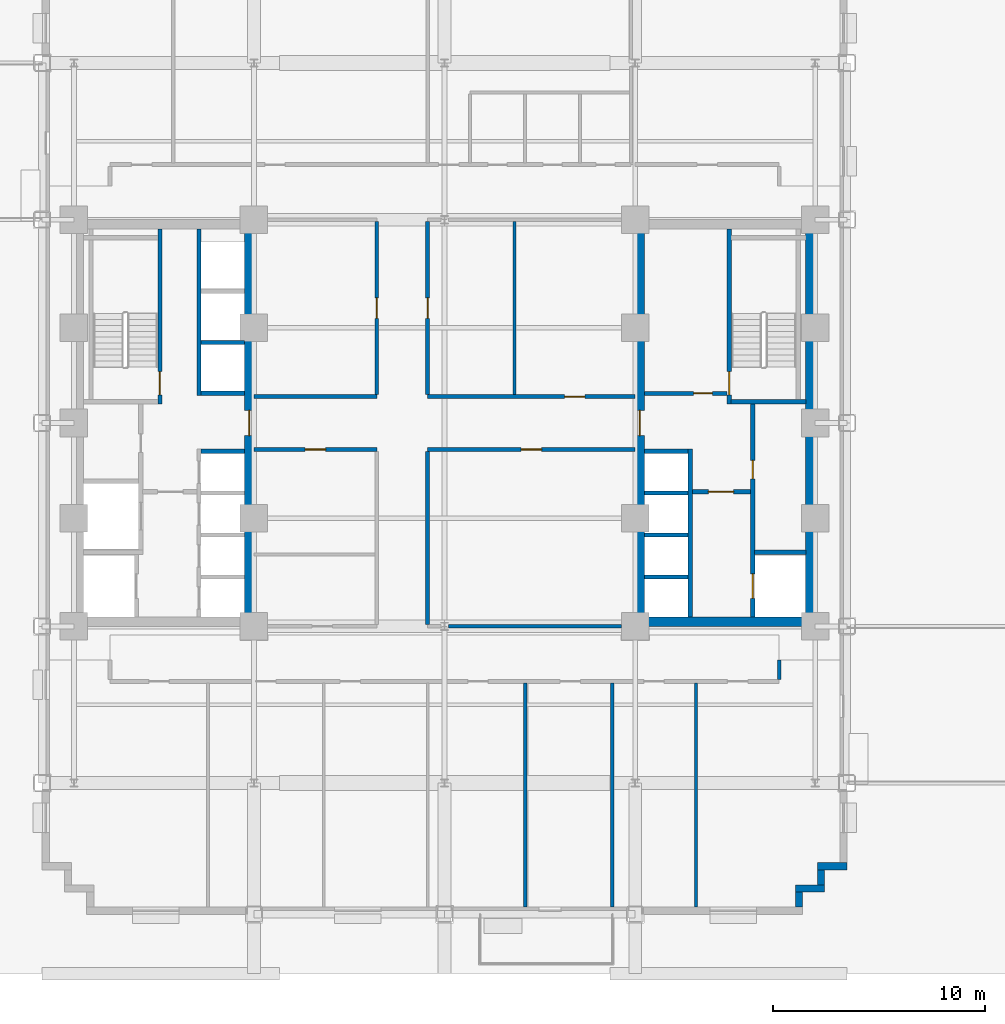
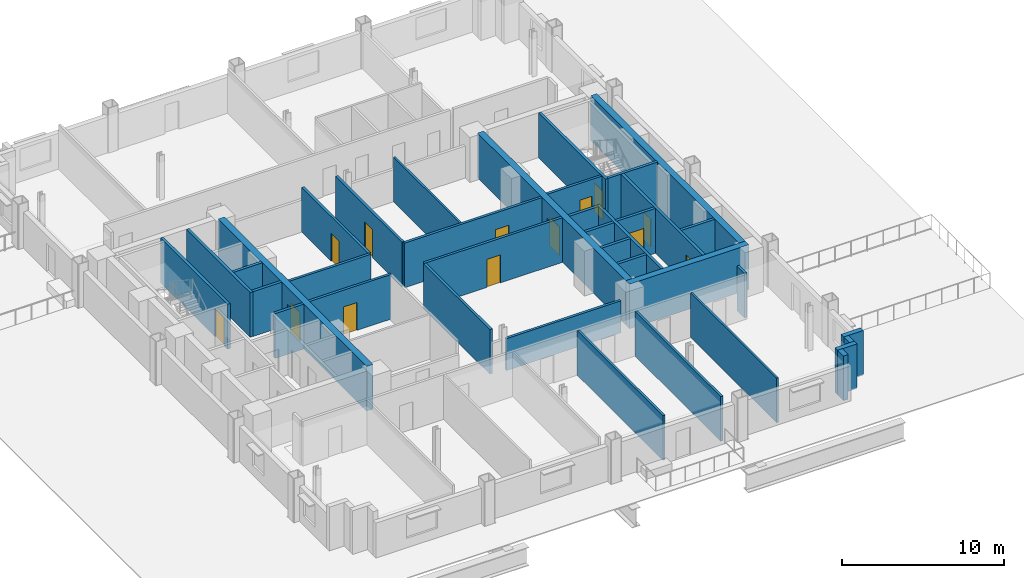
# One storey, part 6 of 13: 37 walls, 13 doors, 13 openings.
"""IFC4 building model written with IfcOpenShell, lengths in metres."""

import ifcopenshell
import ifcopenshell.guid

model = None  # the IFC model being written
_history = None  # IfcOwnerHistory: only IFC2X3 demands one
_inside = {}  # id of a spatial element -> (the spatial element, [elements in it])
_under = {}  # id of a project, library or spatial element -> (it, [spatial elements below it])
_declared = {}  # id of a project -> (the project, [libraries it declares])
_typed = {}  # id of a type object -> (the type object, [elements of that type])
_made_of = {}  # id of a material, layer set ... -> (it, [elements and type objects made of it])


def new_model(schema):
    """Start an empty IFC model of exactly this schema.

    Asked for "IFC4X3", IfcOpenShell would pick the latest addendum, in which some entities
    have other attributes; the version numbers below select the first issue.
    IFC2X3 requires an IfcOwnerHistory on every rooted entity: one is made here for all.
    """
    global model, _history
    if schema == "IFC4X3":
        model = ifcopenshell.file(schema_version=(4, 3, 0, 0))
    else:
        model = ifcopenshell.file(schema=schema)
    _inside.clear()
    _under.clear()
    _declared.clear()
    _typed.clear()
    _made_of.clear()
    _history = None
    if model.schema == "IFC2X3":
        org = make("IfcOrganization", Name="unknown")
        user = make(
            "IfcPersonAndOrganization",
            ThePerson=make("IfcPerson", FamilyName="unknown"),
            TheOrganization=org,
        )
        app = make(
            "IfcApplication",
            ApplicationDeveloper=org,
            Version="unknown",
            ApplicationFullName="unknown",
            ApplicationIdentifier="unknown",
        )
        _history = make(
            "IfcOwnerHistory",
            OwningUser=user,
            OwningApplication=app,
            ChangeAction="ADDED",
            CreationDate=0,
        )
    return model


def make(cls, **values):
    """One entity of the class cls with the attributes given. An attribute that is None is left unset."""
    return model.create_entity(
        cls, **{name: value for name, value in values.items() if value is not None}
    )


def rooted(cls, **values):
    """An entity with a GlobalId (a new one), such as an element, a storey or a relation."""
    return make(cls, GlobalId=ifcopenshell.guid.new(), OwnerHistory=_history, **values)


def si_unit(unit_type, name, prefix=None):
    """IfcSIUnit, for example si_unit("LENGTHUNIT", "METRE", prefix="MILLI")."""
    return make("IfcSIUnit", UnitType=unit_type, Prefix=prefix, Name=name)


def assignment(units):
    """IfcUnitAssignment: the units of a project."""
    return None if units is None else make("IfcUnitAssignment", Units=units)


def point(xyz):
    """IfcCartesianPoint."""
    return None if xyz is None else make("IfcCartesianPoint", Coordinates=xyz)


def direction(xyz):
    """IfcDirection."""
    return None if xyz is None else make("IfcDirection", DirectionRatios=xyz)


def frame(location, z_axis=None, x_axis=None):
    """IfcAxis2Placement3D, a coordinate frame: its origin and axes. An axis left out is left unset."""
    return make(
        "IfcAxis2Placement3D",
        Location=point(location),
        Axis=direction(z_axis),
        RefDirection=direction(x_axis),
    )


def frame_2d(location, x_axis=None):
    """IfcAxis2Placement2D, a coordinate frame in the plane: its origin and x axis."""
    return make(
        "IfcAxis2Placement2D", Location=point(location), RefDirection=direction(x_axis)
    )


def origin():
    """The frame at (0, 0, 0) with its axes left unset."""
    return frame((0.0, 0.0, 0.0))


def place(relative_to, where):
    """IfcLocalPlacement: puts the frame where relative to a parent placement (None: the world)."""
    return make(
        "IfcLocalPlacement", PlacementRelTo=relative_to, RelativePlacement=where
    )


def context(
    kind, dimensions, precision=None, world=None, true_north=None, identifier=None
):
    """IfcGeometricRepresentationContext, for example the 3D "Model" context."""
    return make(
        "IfcGeometricRepresentationContext",
        ContextIdentifier=identifier,
        ContextType=kind,
        CoordinateSpaceDimension=dimensions,
        Precision=precision,
        WorldCoordinateSystem=world,
        TrueNorth=true_north,
    )


def subcontext(parent, identifier, kind, view, scale=None):
    """IfcGeometricRepresentationSubContext, for example "Body" below "Model"."""
    return make(
        "IfcGeometricRepresentationSubContext",
        ContextIdentifier=identifier,
        ContextType=kind,
        ParentContext=parent,
        TargetScale=scale,
        TargetView=view,
    )


def project(units=None, contexts=None):
    """IfcProject with its units and contexts."""
    return rooted(
        "IfcProject",
        Name="project",
        RepresentationContexts=contexts,
        UnitsInContext=assignment(units),
    )


def spatial(cls, under=None, at=None, **own):
    """A site, building, storey or space (cls), placed at a placement, below another one or the project."""
    s = rooted(cls, ObjectPlacement=at, **own)
    if under is not None:
        _under.setdefault(under.id(), (under, []))[1].append(s)
    return s


def profile(cls, at=None, kind="AREA", **sizes):
    """A parametric profile (cls). Its sizes go by their IFC names, for example OverallWidth=200.0."""
    return make(cls, ProfileType=kind, Position=at, **sizes)


def rectangle(**sizes):
    """IfcRectangleProfileDef."""
    return profile("IfcRectangleProfileDef", **sizes)


def extrude(swept, where, along, depth):
    """IfcExtrudedAreaSolid: the profile swept, set in the frame where, extruded along a direction by depth."""
    return make(
        "IfcExtrudedAreaSolid",
        SweptArea=swept,
        Position=where,
        ExtrudedDirection=direction(along),
        Depth=depth,
    )


def shape(context_of_items, identifier, shape_type, items):
    """IfcShapeRepresentation: the items that make up one representation, for example the "Body"."""
    return make(
        "IfcShapeRepresentation",
        ContextOfItems=context_of_items,
        RepresentationIdentifier=identifier,
        RepresentationType=shape_type,
        Items=items,
    )


def source(mapping_origin, context_of_items, identifier, shape_type, items):
    """IfcRepresentationMap: a shape defined once, which mapped items show again and again."""
    return make(
        "IfcRepresentationMap",
        MappingOrigin=mapping_origin,
        MappedRepresentation=shape(context_of_items, identifier, shape_type, items),
    )


def transform(
    local_origin,
    x_axis=None,
    y_axis=None,
    z_axis=None,
    scale=None,
    scale2=None,
    scale3=None,
    uniform=True,
):
    """IfcCartesianTransformationOperator3D, or its non-uniform kind. x_axis, y_axis, z_axis: its Axis1, 2, 3."""
    if uniform:
        return make(
            "IfcCartesianTransformationOperator3D",
            Axis1=direction(x_axis),
            Axis2=direction(y_axis),
            LocalOrigin=point(local_origin),
            Scale=scale,
            Axis3=direction(z_axis),
        )
    return make(
        "IfcCartesianTransformationOperator3DnonUniform",
        Axis1=direction(x_axis),
        Axis2=direction(y_axis),
        LocalOrigin=point(local_origin),
        Scale=scale,
        Axis3=direction(z_axis),
        Scale2=scale2,
        Scale3=scale3,
    )


def mapped(mapping_source, mapping_target):
    """IfcMappedItem: shows the shape of a source again, moved by a transform."""
    return make(
        "IfcMappedItem", MappingSource=mapping_source, MappingTarget=mapping_target
    )


def material(Name=None, Category=None):
    """IfcMaterial."""
    return make("IfcMaterial", Name=Name, Category=Category)


def layer(
    of_material, thickness, ventilated=None, Name=None, Category=None, Priority=None
):
    """IfcMaterialLayer: one layer of a wall or slab, of a material (None: an air gap)."""
    return make(
        "IfcMaterialLayer",
        Material=of_material,
        LayerThickness=thickness,
        IsVentilated=ventilated,
        Name=Name,
        Category=Category,
        Priority=Priority,
    )


def layer_set(layers, Name=None):
    """IfcMaterialLayerSet."""
    return make("IfcMaterialLayerSet", MaterialLayers=layers, LayerSetName=Name)


def made_of(thing, what):
    """Note that an element or type object is made of a material, layer set ...; save() writes the relation."""
    if what is not None:
        _made_of.setdefault(what.id(), (what, []))[1].append(thing)
    return thing


def type_object(cls, material=None, **own):
    """A type object (cls), such as IfcWallType, which elements share."""
    return made_of(rooted(cls, **own), material)


def type_shapes(of_type, sources):
    """Give a type object the sources (RepresentationMaps) that its elements show as mapped items."""
    of_type.RepresentationMaps = sources


def element(
    cls,
    number,
    at=None,
    inside=None,
    cuts=None,
    type_object=None,
    material=None,
    context=None,
    identifier="Body",
    shape_type=None,
    held_by="IfcProductDefinitionShape",
    body=None,
    shapes=None,
    **own,
):
    """One element of the class cls, such as IfcWall. Its Tag is "e" and its number.

    at: its placement. inside: the storey or other place that contains it. cuts: it is an
    opening in that element (IfcRelVoidsElement). A single representation is given by context,
    identifier, shape_type and body (its items); several are given by shapes. held_by: the class
    of the entity that holds the representations. save() writes the other relations.
    """
    e = rooted(cls, Tag="e%d" % number, ObjectPlacement=at, **own)
    if body is not None:
        shapes = [shape(context, identifier, shape_type, body)]
    if shapes is not None:
        e.Representation = make(held_by, Representations=shapes)
    if inside is not None:
        _inside.setdefault(inside.id(), (inside, []))[1].append(e)
    if cuts is not None:
        rooted(
            "IfcRelVoidsElement", RelatingBuildingElement=cuts, RelatedOpeningElement=e
        )
    if type_object is not None:
        _typed.setdefault(type_object.id(), (type_object, []))[1].append(e)
    return made_of(e, material)


def fill(opening, filler):
    """IfcRelFillsElement: the door or window that sits in an opening."""
    return rooted(
        "IfcRelFillsElement",
        RelatingOpeningElement=opening,
        RelatedBuildingElement=filler,
    )


def aggregate(whole, parts):
    """IfcRelAggregates: a whole, such as a stair, and the parts it consists of."""
    return rooted("IfcRelAggregates", RelatingObject=whole, RelatedObjects=parts)


def save(model, path):
    """Write the relations noted so far, then the file.

    IfcRelAggregates (storeys below a building ...), IfcRelContainedInSpatialStructure (elements
    in a storey), IfcRelDefinesByType, IfcRelAssociatesMaterial and IfcRelDeclares: one each for
    every whole, place, type object, material and project.
    """
    for whole, parts in _under.values():
        aggregate(whole, parts)
    for where, things in _inside.values():
        rooted(
            "IfcRelContainedInSpatialStructure",
            RelatedElements=things,
            RelatingStructure=where,
        )
    for kind, things in _typed.values():
        rooted("IfcRelDefinesByType", RelatedObjects=things, RelatingType=kind)
    for what, things in _made_of.values():
        rooted("IfcRelAssociatesMaterial", RelatedObjects=things, RelatingMaterial=what)
    for by, libraries in _declared.values():
        rooted("IfcRelDeclares", RelatingContext=by, RelatedDefinitions=libraries)
    model.write(path)


model = new_model("IFC4")

# Units and contexts
model_context = context("Model", 3, precision=1e-05, world=origin(), true_north=direction((0.0, 1.0)))
body_context = subcontext(model_context, "Body", "Model", "MODEL_VIEW")
ifc_project = project(units=[si_unit("LENGTHUNIT", "METRE"), si_unit("AREAUNIT", "SQUARE_METRE"), si_unit("VOLUMEUNIT", "CUBIC_METRE"), si_unit("PLANEANGLEUNIT", "RADIAN"), si_unit("MASSUNIT", "GRAM", prefix="KILO")], contexts=[model_context])

# Site, building, storey
site_placement = place(None, origin())
site = spatial("IfcSite", under=ifc_project, at=site_placement, CompositionType="ELEMENT")
building_placement = place(site_placement, origin())
building = spatial("IfcBuilding", under=site, at=building_placement, Name="Nuvemarco Arch Tower", CompositionType="ELEMENT")
storey_placement = place(building_placement, frame((0.0, 0.0, 27.60009765625)))
storey = spatial("IfcBuildingStorey", under=building, at=storey_placement, Name="L06", CompositionType="ELEMENT", Elevation=27.60009765625)

# Walls
ifc_material_1 = material(Name="Precast concrete C45/55", Category="concrete")
ifc_layer_1 = layer(ifc_material_1, 0.340087890625, Name="EW-LOW-340")
ifc_layer_set_1 = layer_set([ifc_layer_1], Name="Precast concrete C45/55")
wall_type_1 = type_object("IfcWallType", Name="EW-LOW-340", PredefinedType="STANDARD", material=ifc_layer_set_1)
wall_1_placement = place(storey_placement, frame((16.72998046875, -22.864013671875, 0.0), z_axis=(0.0, 0.0, 1.0), x_axis=(0.0, 1.0, 0.0)))
element("IfcWall", 1, at=wall_1_placement, inside=storey, type_object=wall_type_1, Name="L06 exterior precast facade wall 2", PredefinedType="STANDARD", context=body_context, shape_type="SweptSolid", body=[
    extrude(rectangle(XDim=0.718017578125, YDim=0.340087890625, at=frame_2d((0.35888671875, 0.0))), origin(), (0.0, 0.0, 1.0), 3.35986328125),
])
wall_2_placement = place(storey_placement, frame((16.56005859375, -21.97998046875, 0.0), z_axis=(0.0, 0.0, 1.0), x_axis=(1.0, 0.0, 0.0)))
element("IfcWall", 2, at=wall_2_placement, inside=storey, type_object=wall_type_1, Name="L06 exterior precast facade wall 3", PredefinedType="STANDARD", context=body_context, shape_type="SweptSolid", body=[
    extrude(rectangle(XDim=1.389892578125, YDim=0.340087890625, at=frame_2d((0.69482421875, 0.0))), origin(), (0.0, 0.0, 1.0), 3.35986328125),
])
wall_3_placement = place(storey_placement, frame((17.780029296875, -21.81396484375, 0.0), z_axis=(0.0, 0.0, 1.0), x_axis=(0.0, 1.0, 0.0)))
element("IfcWall", 3, at=wall_3_placement, inside=storey, type_object=wall_type_1, Name="L06 exterior precast facade wall 4", PredefinedType="STANDARD", context=body_context, shape_type="SweptSolid", body=[
    extrude(rectangle(XDim=0.718017578125, YDim=0.340087890625, at=frame_2d((0.35888671875, 0.0))), origin(), (0.0, 0.0, 1.0), 3.35986328125),
])
wall_4_placement = place(storey_placement, frame((17.610107421875, -20.929931640625, 0.0), z_axis=(0.0, 0.0, 1.0), x_axis=(1.0, 0.0, 0.0)))
element("IfcWall", 4, at=wall_4_placement, inside=storey, type_object=wall_type_1, Name="L06 exterior precast facade wall 5", PredefinedType="STANDARD", context=body_context, shape_type="SweptSolid", body=[
    extrude(rectangle(XDim=1.389892578125, YDim=0.340087890625, at=frame_2d((0.69482421875, 0.0))), origin(), (0.0, 0.0, 1.0), 3.35986328125),
])

# Wall, opening, door
ifc_material_2 = material(Name="Concrete C60/75", Category="concrete")
ifc_layer_2 = layer(ifc_material_2, 0.449951171875, Name="WL-CORE-450")
ifc_layer_set_2 = layer_set([ifc_layer_2], Name="Concrete C60/75")
wall_type_2 = type_object("IfcWallType", Name="WL-CORE-450", PredefinedType="SHEAR", material=ifc_layer_set_2)
wall_5_placement = place(storey_placement, frame((-9.22509765625, -9.155029296875, 0.0), z_axis=(0.0, 0.0, 1.0), x_axis=(0.0, 1.0, 0.0)))
wall_5 = element("IfcWall", 5, at=wall_5_placement, inside=storey, type_object=wall_type_2, Name="L06 W-core shear wall E", PredefinedType="SHEAR", context=body_context, shape_type="SweptSolid", body=[
    extrude(rectangle(XDim=18.31005859375, YDim=0.449951171875, at=frame_2d((9.155029296875, 0.0))), origin(), (0.0, 0.0, 1.0), 3.369873046875),
])
opening_1_placement = place(wall_5_placement, frame((8.554931640625, 0.0, 0.0)))
opening_1 = element("IfcOpeningElement", 6, at=opening_1_placement, cuts=wall_5, Name="Opening FD-2", PredefinedType="OPENING", context=body_context, shape_type="SweptSolid", body=[
    extrude(rectangle(XDim=1.199951171875, YDim=2.14990234375, at=frame_2d((0.60009765625, 1.074951171875))), frame((0.0, 0.23486328125, 0.0), z_axis=(0.0, -1.0, 0.0), x_axis=(1.0, 0.0, 0.0)), (0.0, 0.0, 1.0), 0.469970703125),
])
ifc_material_3 = material(Name="Anodised steel fire door", Category="steel")
door_type_1 = type_object("IfcDoorType", Name="DR-FFLOB-FD", OperationType="NOTDEFINED", PredefinedType="DOOR", material=ifc_material_3)
shared_shape_1 = source(origin(), body_context, "Body", "SweptSolid", [
    extrude(rectangle(XDim=1.199951171875, YDim=2.14990234375, at=frame_2d((0.60009765625, 1.074951171875))), frame((0.0, 0.02490234375, 0.0), z_axis=(0.0, -1.0, 0.0), x_axis=(1.0, 0.0, 0.0)), (0.0, 0.0, 1.0), 0.050048828125),
])
type_shapes(door_type_1, [shared_shape_1])
door_1_placement = place(opening_1_placement, origin())
door_1 = element("IfcDoor", 7, at=door_1_placement, inside=storey, type_object=door_type_1, Name="L06 door FD-L06-WCORE-E", OperationType="SINGLE_SWING_RIGHT", OverallHeight=2.14990234375, OverallWidth=1.199951171875, PredefinedType="DOOR", context=body_context, shape_type="MappedRepresentation", body=[
    mapped(shared_shape_1, transform((0.0, 0.0, 0.0), scale=1.0)),
])
fill(opening_1, door_1)

# Wall
wall_6_placement = place(storey_placement, frame((9.0, -9.375, 0.0), z_axis=(0.0, 0.0, 1.0), x_axis=(1.0, 0.0, 0.0)))
element("IfcWall", 8, at=wall_6_placement, inside=storey, type_object=wall_type_2, Name="L06 E-core shear wall S", PredefinedType="SHEAR", context=body_context, shape_type="SweptSolid", body=[
    extrude(rectangle(XDim=8.5, YDim=0.449951171875, at=frame_2d((4.25, 0.0))), origin(), (0.0, 0.0, 1.0), 3.369873046875),
])

# Wall, opening, door
wall_7_placement = place(storey_placement, frame((9.22509765625, -9.155029296875, 0.0), z_axis=(0.0, 0.0, 1.0), x_axis=(0.0, 1.0, 0.0)))
wall_7 = element("IfcWall", 9, at=wall_7_placement, inside=storey, type_object=wall_type_2, Name="L06 E-core shear wall W", PredefinedType="SHEAR", context=body_context, shape_type="SweptSolid", body=[
    extrude(rectangle(XDim=18.31005859375, YDim=0.449951171875, at=frame_2d((9.155029296875, 0.0))), origin(), (0.0, 0.0, 1.0), 3.369873046875),
])
opening_2_placement = place(wall_7_placement, frame((8.554931640625, 0.0, 0.0)))
opening_2 = element("IfcOpeningElement", 10, at=opening_2_placement, cuts=wall_7, Name="Opening FD-2", PredefinedType="OPENING", context=body_context, shape_type="SweptSolid", body=[
    extrude(rectangle(XDim=1.199951171875, YDim=2.14990234375, at=frame_2d((0.60009765625, 1.074951171875))), frame((0.0, 0.23486328125, 0.0), z_axis=(0.0, -1.0, 0.0), x_axis=(1.0, 0.0, 0.0)), (0.0, 0.0, 1.0), 0.469970703125),
])
door_2_placement = place(opening_2_placement, origin())
door_2 = element("IfcDoor", 11, at=door_2_placement, inside=storey, type_object=door_type_1, Name="L06 door FD-L06-ECORE-W", OperationType="SINGLE_SWING_LEFT", OverallHeight=2.14990234375, OverallWidth=1.199951171875, PredefinedType="DOOR", context=body_context, shape_type="MappedRepresentation", body=[
    mapped(shared_shape_1, transform((0.0, 0.0, 0.0), scale=1.0)),
])
fill(opening_2, door_2)

# Wall
wall_8_placement = place(storey_placement, frame((17.27490234375, -9.155029296875, 0.0), z_axis=(0.0, 0.0, 1.0), x_axis=(0.0, 1.0, 0.0)))
element("IfcWall", 12, at=wall_8_placement, inside=storey, type_object=wall_type_2, Name="L06 E-core shear wall E", PredefinedType="SHEAR", context=body_context, shape_type="SweptSolid", body=[
    extrude(rectangle(XDim=18.31005859375, YDim=0.449951171875, at=frame_2d((9.155029296875, 0.0))), origin(), (0.0, 0.0, 1.0), 3.369873046875),
])

# Wall, opening, door
ifc_material_4 = material(Name="Fire-rated gypsum drywall partition")
ifc_layer_3 = layer(ifc_material_4, 0.179931640625, Name="WL-CORR-180")
ifc_layer_set_3 = layer_set([ifc_layer_3], Name="Fire-rated gypsum drywall partition")
wall_type_3 = type_object("IfcWallType", Name="WL-CORR-180", PredefinedType="PARTITIONING", material=ifc_layer_set_3)
wall_9_placement = place(storey_placement, frame((9.445068359375, 1.39990234375, 0.0), z_axis=(0.0, 0.0, 1.0), x_axis=(1.0, 0.0, 0.0)))
wall_9 = element("IfcWall", 13, at=wall_9_placement, inside=storey, type_object=wall_type_3, Name="L06 interior wall IW-L06-EK-S", PredefinedType="PARTITIONING", context=body_context, shape_type="SweptSolid", body=[
    extrude(rectangle(XDim=3.89990234375, YDim=0.179931640625, at=frame_2d((1.949951171875, 0.0))), origin(), (0.0, 0.0, 1.0), 3.35986328125),
])
opening_3_placement = place(wall_9_placement, frame((2.31494140625, 0.0, 0.0)))
opening_3 = element("IfcOpeningElement", 14, at=opening_3_placement, cuts=wall_9, Name="Opening FD-4", PredefinedType="OPENING", context=body_context, shape_type="SweptSolid", body=[
    extrude(rectangle(XDim=0.8798828125, YDim=2.10009765625, at=frame_2d((0.43994140625, 1.050048828125))), frame((0.0, 0.099853515625, 0.0), z_axis=(0.0, -1.0, 0.0), x_axis=(1.0, 0.0, 0.0)), (0.0, 0.0, 1.0), 0.199951171875),
])
door_type_2 = type_object("IfcDoorType", Name="DR-RISER-FD", OperationType="NOTDEFINED", PredefinedType="DOOR", material=ifc_material_3)
shared_shape_2 = source(origin(), body_context, "Body", "SweptSolid", [
    extrude(rectangle(XDim=0.8798828125, YDim=2.10009765625, at=frame_2d((0.43994140625, 1.050048828125))), frame((0.0, 0.02490234375, 0.0), z_axis=(0.0, -1.0, 0.0), x_axis=(1.0, 0.0, 0.0)), (0.0, 0.0, 1.0), 0.050048828125),
])
type_shapes(door_type_2, [shared_shape_2])
door_3_placement = place(opening_3_placement, origin())
door_3 = element("IfcDoor", 15, at=door_3_placement, inside=storey, type_object=door_type_2, Name="L06 door FD-L06-EK1A", OperationType="SINGLE_SWING_RIGHT", OverallHeight=2.10009765625, OverallWidth=0.8798828125, PredefinedType="DOOR", context=body_context, shape_type="MappedRepresentation", body=[
    mapped(shared_shape_2, transform((0.0, 0.0, 0.0), scale=1.0)),
])
fill(opening_3, door_3)

# Wall
wall_10_placement = place(storey_placement, frame((0.176025390625, -9.60009765625, 0.0), z_axis=(0.0, 0.0, 1.0), x_axis=(1.0, 0.0, 0.0)))
element("IfcWall", 16, at=wall_10_placement, inside=storey, type_object=wall_type_3, Name="L06 interior wall IW-L06-004", PredefinedType="PARTITIONING", context=body_context, shape_type="SweptSolid", body=[
    extrude(rectangle(XDim=8.177978515625, YDim=0.179931640625, at=frame_2d((4.0888671875, 0.0))), origin(), (0.0, 0.0, 1.0), 2.40478515625),
])

# Wall, opening, door
wall_11_placement = place(storey_placement, frame((-9.0, -1.25, 0.0), z_axis=(0.0, 0.0, 1.0), x_axis=(1.0, 0.0, 0.0)))
wall_11 = element("IfcWall", 17, at=wall_11_placement, inside=storey, type_object=wall_type_3, Name="L06 interior wall IW-L06-006", PredefinedType="PARTITIONING", context=body_context, shape_type="SweptSolid", body=[
    extrude(rectangle(XDim=5.800048828125, YDim=0.179931640625, at=frame_2d((2.89990234375, 0.0))), origin(), (0.0, 0.0, 1.0), 3.35986328125),
])
opening_4_placement = place(wall_11_placement, frame((2.419921875, 0.0, 0.0)))
opening_4 = element("IfcOpeningElement", 18, at=opening_4_placement, cuts=wall_11, Name="Opening FD-5", PredefinedType="OPENING", context=body_context, shape_type="SweptSolid", body=[
    extrude(rectangle(XDim=0.9599609375, YDim=2.10009765625, at=frame_2d((0.47998046875, 1.050048828125))), frame((0.0, 0.099853515625, 0.0), z_axis=(0.0, -1.0, 0.0), x_axis=(1.0, 0.0, 0.0)), (0.0, 0.0, 1.0), 0.199951171875),
])
ifc_material_5 = material(Name="Timber fire door", Category="wood")
door_type_3 = type_object("IfcDoorType", Name="DR-CORR-FD", OperationType="NOTDEFINED", PredefinedType="DOOR", material=ifc_material_5)
shared_shape_3 = source(origin(), body_context, "Body", "SweptSolid", [
    extrude(rectangle(XDim=0.9599609375, YDim=2.10009765625, at=frame_2d((0.47998046875, 1.050048828125))), frame((0.0, 0.02490234375, 0.0), z_axis=(0.0, -1.0, 0.0), x_axis=(1.0, 0.0, 0.0)), (0.0, 0.0, 1.0), 0.050048828125),
])
type_shapes(door_type_3, [shared_shape_3])
door_4_placement = place(opening_4_placement, origin())
door_4 = element("IfcDoor", 19, at=door_4_placement, inside=storey, type_object=door_type_3, Name="L06 door DR-L06-C_SW1", OperationType="SINGLE_SWING_RIGHT", OverallHeight=2.10009765625, OverallWidth=0.9599609375, PredefinedType="DOOR", context=body_context, shape_type="MappedRepresentation", body=[
    mapped(shared_shape_3, transform((0.0, 0.0, 0.0), scale=1.0)),
])
fill(opening_4, door_4)

wall_12_placement = place(storey_placement, frame((-0.800048828125, -1.25, 0.0), z_axis=(0.0, 0.0, 1.0), x_axis=(1.0, 0.0, 0.0)))
wall_12 = element("IfcWall", 20, at=wall_12_placement, inside=storey, type_object=wall_type_3, Name="L06 interior wall IW-L06-007", PredefinedType="PARTITIONING", context=body_context, shape_type="SweptSolid", body=[
    extrude(rectangle(XDim=9.800048828125, YDim=0.179931640625, at=frame_2d((4.89990234375, 0.0))), origin(), (0.0, 0.0, 1.0), 3.35986328125),
])
opening_5_placement = place(wall_12_placement, frame((4.419921875, 0.0, 0.0)))
opening_5 = element("IfcOpeningElement", 21, at=opening_5_placement, cuts=wall_12, Name="Opening FD-5", PredefinedType="OPENING", context=body_context, shape_type="SweptSolid", body=[
    extrude(rectangle(XDim=0.9599609375, YDim=2.10009765625, at=frame_2d((0.47998046875, 1.050048828125))), frame((0.0, 0.099853515625, 0.0), z_axis=(0.0, -1.0, 0.0), x_axis=(1.0, 0.0, 0.0)), (0.0, 0.0, 1.0), 0.199951171875),
])
door_5_placement = place(opening_5_placement, origin())
door_5 = element("IfcDoor", 22, at=door_5_placement, inside=storey, type_object=door_type_3, Name="L06 door DR-L06-C_SE", OperationType="SINGLE_SWING_LEFT", OverallHeight=2.10009765625, OverallWidth=0.9599609375, PredefinedType="DOOR", context=body_context, shape_type="MappedRepresentation", body=[
    mapped(shared_shape_3, transform((0.0, 0.0, 0.0), scale=1.0)),
])
fill(opening_5, door_5)

# Wall
wall_13_placement = place(storey_placement, frame((-9.0, 1.25, 0.0), z_axis=(0.0, 0.0, 1.0), x_axis=(1.0, 0.0, 0.0)))
element("IfcWall", 23, at=wall_13_placement, inside=storey, type_object=wall_type_3, Name="L06 interior wall IW-L06-008", PredefinedType="PARTITIONING", context=body_context, shape_type="SweptSolid", body=[
    extrude(rectangle(XDim=5.800048828125, YDim=0.179931640625, at=frame_2d((2.89990234375, 0.0))), origin(), (0.0, 0.0, 1.0), 3.35986328125),
])

# Wall, opening, door
wall_14_placement = place(storey_placement, frame((-0.800048828125, 1.25, 0.0), z_axis=(0.0, 0.0, 1.0), x_axis=(1.0, 0.0, 0.0)))
wall_14 = element("IfcWall", 24, at=wall_14_placement, inside=storey, type_object=wall_type_3, Name="L06 interior wall IW-L06-009", PredefinedType="PARTITIONING", context=body_context, shape_type="SweptSolid", body=[
    extrude(rectangle(XDim=9.800048828125, YDim=0.179931640625, at=frame_2d((4.89990234375, 0.0))), origin(), (0.0, 0.0, 1.0), 3.35986328125),
])
opening_6_placement = place(wall_14_placement, frame((6.469970703125, 0.0, 0.0)))
opening_6 = element("IfcOpeningElement", 25, at=opening_6_placement, cuts=wall_14, Name="Opening FD-5", PredefinedType="OPENING", context=body_context, shape_type="SweptSolid", body=[
    extrude(rectangle(XDim=0.9599609375, YDim=2.10009765625, at=frame_2d((0.47998046875, 1.050048828125))), frame((0.0, 0.099853515625, 0.0), z_axis=(0.0, -1.0, 0.0), x_axis=(1.0, 0.0, 0.0)), (0.0, 0.0, 1.0), 0.199951171875),
])
door_6_placement = place(opening_6_placement, origin())
door_6 = element("IfcDoor", 26, at=door_6_placement, inside=storey, type_object=door_type_3, Name="L06 door DR-L06-C_NE2", OperationType="SINGLE_SWING_LEFT", OverallHeight=2.10009765625, OverallWidth=0.9599609375, PredefinedType="DOOR", context=body_context, shape_type="MappedRepresentation", body=[
    mapped(shared_shape_3, transform((0.0, 0.0, 0.0), scale=1.0)),
])
fill(opening_6, door_6)

wall_15_placement = place(storey_placement, frame((-3.199951171875, 1.3359375, 0.0), z_axis=(0.0, 0.0, 1.0), x_axis=(0.0, 1.0, 0.0)))
wall_15 = element("IfcWall", 27, at=wall_15_placement, inside=storey, type_object=wall_type_3, Name="L06 interior wall IW-L06-022", PredefinedType="PARTITIONING", context=body_context, shape_type="SweptSolid", body=[
    extrude(rectangle(XDim=8.177978515625, YDim=0.179931640625, at=frame_2d((4.0888671875, 0.0))), origin(), (0.0, 0.0, 1.0), 3.35986328125),
])
opening_7_placement = place(wall_15_placement, frame((3.60888671875, 0.0, 0.0)))
opening_7 = element("IfcOpeningElement", 28, at=opening_7_placement, cuts=wall_15, Name="Opening FD-5", PredefinedType="OPENING", context=body_context, shape_type="SweptSolid", body=[
    extrude(rectangle(XDim=0.9599609375, YDim=2.10009765625, at=frame_2d((0.47998046875, 1.050048828125))), frame((0.0, 0.099853515625, 0.0), z_axis=(0.0, -1.0, 0.0), x_axis=(1.0, 0.0, 0.0)), (0.0, 0.0, 1.0), 0.199951171875),
])
door_7_placement = place(opening_7_placement, origin())
door_7 = element("IfcDoor", 29, at=door_7_placement, inside=storey, type_object=door_type_3, Name="L06 door DR-L06-C_NW", OperationType="SINGLE_SWING_LEFT", OverallHeight=2.10009765625, OverallWidth=0.9599609375, PredefinedType="DOOR", context=body_context, shape_type="MappedRepresentation", body=[
    mapped(shared_shape_3, transform((0.0, 0.0, 0.0), scale=1.0)),
])
fill(opening_7, door_7)

# Wall
wall_16_placement = place(storey_placement, frame((-0.800048828125, -9.513916015625, 0.0), z_axis=(0.0, 0.0, 1.0), x_axis=(0.0, 1.0, 0.0)))
element("IfcWall", 30, at=wall_16_placement, inside=storey, type_object=wall_type_3, Name="L06 interior wall IW-L06-024", PredefinedType="PARTITIONING", context=body_context, shape_type="SweptSolid", body=[
    extrude(rectangle(XDim=8.177978515625, YDim=0.179931640625, at=frame_2d((4.0888671875, 0.0))), origin(), (0.0, 0.0, 1.0), 3.35986328125),
])

# Wall, opening, door
wall_17_placement = place(storey_placement, frame((-0.800048828125, 1.3359375, 0.0), z_axis=(0.0, 0.0, 1.0), x_axis=(0.0, 1.0, 0.0)))
wall_17 = element("IfcWall", 31, at=wall_17_placement, inside=storey, type_object=wall_type_3, Name="L06 interior wall IW-L06-025", PredefinedType="PARTITIONING", context=body_context, shape_type="SweptSolid", body=[
    extrude(rectangle(XDim=8.177978515625, YDim=0.179931640625, at=frame_2d((4.0888671875, 0.0))), origin(), (0.0, 0.0, 1.0), 3.35986328125),
])
opening_8_placement = place(wall_17_placement, frame((3.60888671875, 0.0, 0.0)))
opening_8 = element("IfcOpeningElement", 32, at=opening_8_placement, cuts=wall_17, Name="Opening FD-5", PredefinedType="OPENING", context=body_context, shape_type="SweptSolid", body=[
    extrude(rectangle(XDim=0.9599609375, YDim=2.10009765625, at=frame_2d((0.47998046875, 1.050048828125))), frame((0.0, 0.099853515625, 0.0), z_axis=(0.0, -1.0, 0.0), x_axis=(1.0, 0.0, 0.0)), (0.0, 0.0, 1.0), 0.199951171875),
])
door_8_placement = place(opening_8_placement, origin())
door_8 = element("IfcDoor", 33, at=door_8_placement, inside=storey, type_object=door_type_3, Name="L06 door DR-L06-C_NE1", OperationType="SINGLE_SWING_RIGHT", OverallHeight=2.10009765625, OverallWidth=0.9599609375, PredefinedType="DOOR", context=body_context, shape_type="MappedRepresentation", body=[
    mapped(shared_shape_3, transform((0.0, 0.0, 0.0), scale=1.0)),
])
fill(opening_8, door_8)

# Walls
wall_18_placement = place(storey_placement, frame((15.800048828125, -12.114013671875, 0.0), z_axis=(0.0, 0.0, 1.0), x_axis=(0.0, 1.0, 0.0)))
element("IfcWall", 34, at=wall_18_placement, inside=storey, type_object=wall_type_3, Name="L06 interior wall IW-L06-036", PredefinedType="PARTITIONING", context=body_context, shape_type="SweptSolid", body=[
    extrude(rectangle(XDim=0.9140625, YDim=0.179931640625, at=frame_2d((0.45703125, 0.0))), origin(), (0.0, 0.0, 1.0), 3.35986328125),
])
ifc_material_6 = material(Name="Gypsum plasterboard partition")
ifc_layer_4 = layer(ifc_material_6, 0.139892578125, Name="WL-ROOM-140")
ifc_layer_set_4 = layer_set([ifc_layer_4], Name="Gypsum plasterboard partition")
wall_type_4 = type_object("IfcWallType", Name="WL-ROOM-140", PredefinedType="PARTITIONING", material=ifc_layer_set_4)
wall_19_placement = place(storey_placement, frame((3.300048828125, 1.3359375, 0.0), z_axis=(0.0, 0.0, 1.0), x_axis=(0.0, 1.0, 0.0)))
element("IfcWall", 35, at=wall_19_placement, inside=storey, type_object=wall_type_4, Name="L06 interior wall IW-L06-028", PredefinedType="PARTITIONING", context=body_context, shape_type="SweptSolid", body=[
    extrude(rectangle(XDim=8.177978515625, YDim=0.139892578125, at=frame_2d((4.0888671875, 0.0))), origin(), (0.0, 0.0, 1.0), 3.35986328125),
])
wall_20_placement = place(storey_placement, frame((11.8701171875, -22.860107421875, 0.0), z_axis=(0.0, 0.0, 1.0), x_axis=(0.0, 1.0, 0.0)))
element("IfcWall", 36, at=wall_20_placement, inside=storey, type_object=wall_type_4, Name="L06 interior wall IW-L06-035", PredefinedType="PARTITIONING", context=body_context, shape_type="SweptSolid", body=[
    extrude(rectangle(XDim=10.57421875, YDim=0.139892578125, at=frame_2d((5.287109375, 0.0))), origin(), (0.0, 0.0, 1.0), 3.35986328125),
])

# Wall, opening, door
ifc_material_7 = material(Name="Concrete C50/60", Category="concrete")
ifc_layer_5 = layer(ifc_material_7, 0.199951171875, Name="WL-SHAFT-220")
ifc_layer_set_5 = layer_set([ifc_layer_5], Name="Concrete C50/60")
wall_type_5 = type_object("IfcWallType", Name="WL-SHAFT-220", PredefinedType="SHEAR", material=ifc_layer_set_5)
wall_21_placement = place(storey_placement, frame((-13.43994140625, 0.89990234375, 0.0), z_axis=(0.0, 0.0, 1.0), x_axis=(0.0, 1.0, 0.0)))
wall_21 = element("IfcWall", 37, at=wall_21_placement, inside=storey, type_object=wall_type_5, Name="L06 structural shaft wall SW-L06-W-ST1E", PredefinedType="SHEAR", context=body_context, shape_type="SweptSolid", body=[
    extrude(rectangle(XDim=8.255126953125, YDim=0.199951171875, at=frame_2d((4.12744140625, 0.0))), origin(), (0.0, 0.0, 1.0), 3.369873046875),
])
opening_9_placement = place(wall_21_placement, frame((1.530029296875, 0.0, 0.0), z_axis=(0.0, 0.0, 1.0), x_axis=(-1.0, 0.0, 0.0)))
opening_9 = element("IfcOpeningElement", 38, at=opening_9_placement, cuts=wall_21, Name="Opening FD-1", PredefinedType="OPENING", context=body_context, shape_type="SweptSolid", body=[
    extrude(rectangle(XDim=1.10009765625, YDim=2.14990234375, at=frame_2d((0.550048828125, 1.074951171875))), frame((0.0, 0.10986328125, 0.0), z_axis=(0.0, -1.0, 0.0), x_axis=(1.0, 0.0, 0.0)), (0.0, 0.0, 1.0), 0.219970703125),
])
door_type_4 = type_object("IfcDoorType", Name="DR-STAIR-FD", OperationType="NOTDEFINED", PredefinedType="DOOR", material=ifc_material_3)
shared_shape_4 = source(origin(), body_context, "Body", "SweptSolid", [
    extrude(rectangle(XDim=1.10009765625, YDim=2.14990234375, at=frame_2d((0.550048828125, 1.074951171875))), frame((0.0, 0.02490234375, 0.0), z_axis=(0.0, -1.0, 0.0), x_axis=(1.0, 0.0, 0.0)), (0.0, 0.0, 1.0), 0.050048828125),
])
type_shapes(door_type_4, [shared_shape_4])
door_9_placement = place(opening_9_placement, origin())
door_9 = element("IfcDoor", 39, at=door_9_placement, inside=storey, type_object=door_type_4, Name="L06 door FD-L06-ST1", OperationType="SINGLE_SWING_RIGHT", OverallHeight=2.14990234375, OverallWidth=1.10009765625, PredefinedType="DOOR", context=body_context, shape_type="MappedRepresentation", body=[
    mapped(shared_shape_4, transform((0.0, 0.0, 0.0), scale=1.0)),
])
fill(opening_9, door_9)

# Walls
wall_22_placement = place(storey_placement, frame((-11.5048828125, -1.330078125, 0.0), z_axis=(0.0, 0.0, 1.0), x_axis=(1.0, 0.0, 0.0)))
element("IfcWall", 40, at=wall_22_placement, inside=storey, type_object=wall_type_5, Name="L06 structural shaft wall SW-L06-W-PLD4", PredefinedType="SHEAR", context=body_context, shape_type="SweptSolid", body=[
    extrude(rectangle(XDim=2.059814453125, YDim=0.199951171875, at=frame_2d((1.02978515625, 0.0))), origin(), (0.0, 0.0, 1.0), 3.369873046875),
])
wall_23_placement = place(storey_placement, frame((-11.60009765625, 1.300048828125, 0.0), z_axis=(0.0, 0.0, 1.0), x_axis=(0.0, 1.0, 0.0)))
element("IfcWall", 41, at=wall_23_placement, inside=storey, type_object=wall_type_5, Name="L06 structural shaft wall SW-L06-W-PHW", PredefinedType="SHEAR", context=body_context, shape_type="SweptSolid", body=[
    extrude(rectangle(XDim=7.85498046875, YDim=0.199951171875, at=frame_2d((3.927490234375, 0.0))), origin(), (0.0, 0.0, 1.0), 3.369873046875),
])
for number, where, z_axis, x_axis, name in (
    (42, (-11.5048828125, 1.39990234375, 0.0), (0.0, 0.0, 1.0), (1.0, 0.0, 0.0), "L06 structural shaft wall SW-L06-W-PHD1"),
    (43, (-11.5048828125, 3.800048828125, 0.0), (0.0, 0.0, 1.0), (1.0, 0.0, 0.0), "L06 structural shaft wall SW-L06-W-PHD2"),
):
    element("IfcWall", number, at=place(storey_placement, frame(where, z_axis=z_axis, x_axis=x_axis)), inside=storey, type_object=wall_type_5, Name=name, PredefinedType="SHEAR", context=body_context, shape_type="SweptSolid", body=[
        extrude(rectangle(XDim=2.059814453125, YDim=0.199951171875, at=frame_2d((1.02978515625, 0.0))), origin(), (0.0, 0.0, 1.0), 3.369873046875),
    ])

# Wall, opening, door
wall_24_placement = place(storey_placement, frame((13.43994140625, 0.89990234375, 0.0), z_axis=(0.0, 0.0, 1.0), x_axis=(0.0, 1.0, 0.0)))
wall_24 = element("IfcWall", 44, at=wall_24_placement, inside=storey, type_object=wall_type_5, Name="L06 structural shaft wall SW-L06-E-ST2W", PredefinedType="SHEAR", context=body_context, shape_type="SweptSolid", body=[
    extrude(rectangle(XDim=8.255126953125, YDim=0.199951171875, at=frame_2d((4.12744140625, 0.0))), origin(), (0.0, 0.0, 1.0), 3.369873046875),
])
opening_10_placement = place(wall_24_placement, frame((0.429931640625, 0.0, 0.0)))
opening_10 = element("IfcOpeningElement", 45, at=opening_10_placement, cuts=wall_24, Name="Opening FD-1", PredefinedType="OPENING", context=body_context, shape_type="SweptSolid", body=[
    extrude(rectangle(XDim=1.10009765625, YDim=2.14990234375, at=frame_2d((0.550048828125, 1.074951171875))), frame((0.0, 0.10986328125, 0.0), z_axis=(0.0, -1.0, 0.0), x_axis=(1.0, 0.0, 0.0)), (0.0, 0.0, 1.0), 0.219970703125),
])
door_10_placement = place(opening_10_placement, origin())
door_10 = element("IfcDoor", 46, at=door_10_placement, inside=storey, type_object=door_type_4, Name="L06 door FD-L06-ST2", OperationType="SINGLE_SWING_LEFT", OverallHeight=2.14990234375, OverallWidth=1.10009765625, PredefinedType="DOOR", context=body_context, shape_type="MappedRepresentation", body=[
    mapped(shared_shape_4, transform((0.0, 0.0, 0.0), scale=1.0)),
])
fill(opening_10, door_10)

# Wall
wall_25_placement = place(storey_placement, frame((13.534912109375, 1.0, 0.0), z_axis=(0.0, 0.0, 1.0), x_axis=(1.0, 0.0, 0.0)))
element("IfcWall", 47, at=wall_25_placement, inside=storey, type_object=wall_type_5, Name="L06 structural shaft wall SW-L06-E-ST2S", PredefinedType="SHEAR", context=body_context, shape_type="SweptSolid", body=[
    extrude(rectangle(XDim=3.52001953125, YDim=0.199951171875, at=frame_2d((1.760009765625, 0.0))), origin(), (0.0, 0.0, 1.0), 3.369873046875),
])

# Wall, openings, doors
wall_26_placement = place(storey_placement, frame((14.550048828125, -9.155029296875, 0.0), z_axis=(0.0, 0.0, 1.0), x_axis=(0.0, 1.0, 0.0)))
wall_26 = element("IfcWall", 48, at=wall_26_placement, inside=storey, type_object=wall_type_5, Name="L06 structural shaft wall SW-L06-E-SHW", PredefinedType="SHEAR", context=body_context, shape_type="SweptSolid", body=[
    extrude(rectangle(XDim=10.06005859375, YDim=0.199951171875, at=frame_2d((5.030029296875, 0.0))), origin(), (0.0, 0.0, 1.0), 3.369873046875),
])
opening_11_placement = place(wall_26_placement, frame((6.514892578125, 0.0, 0.0)))
opening_11 = element("IfcOpeningElement", 49, at=opening_11_placement, cuts=wall_26, Name="Opening FD-4", PredefinedType="OPENING", context=body_context, shape_type="SweptSolid", body=[
    extrude(rectangle(XDim=0.8798828125, YDim=2.10009765625, at=frame_2d((0.43994140625, 1.050048828125))), frame((0.0, 0.10986328125, 0.0), z_axis=(0.0, -1.0, 0.0), x_axis=(1.0, 0.0, 0.0)), (0.0, 0.0, 1.0), 0.219970703125),
])
opening_12_placement = place(wall_26_placement, frame((0.8798828125, 0.0, 0.0)))
opening_12 = element("IfcOpeningElement", 50, at=opening_12_placement, cuts=wall_26, Name="Opening LD-2", PredefinedType="OPENING", context=body_context, shape_type="SweptSolid", body=[
    extrude(rectangle(XDim=1.14990234375, YDim=2.14990234375, at=frame_2d((0.574951171875, 1.074951171875))), frame((0.0, 0.10986328125, 0.0), z_axis=(0.0, -1.0, 0.0), x_axis=(1.0, 0.0, 0.0)), (0.0, 0.0, 1.0), 0.219970703125),
])
door_11_placement = place(opening_11_placement, origin())
door_11 = element("IfcDoor", 51, at=door_11_placement, inside=storey, type_object=door_type_2, Name="L06 door FD-L06-ERIS", OperationType="SINGLE_SWING_LEFT", OverallHeight=2.10009765625, OverallWidth=0.8798828125, PredefinedType="DOOR", context=body_context, shape_type="MappedRepresentation", body=[
    mapped(shared_shape_2, transform((0.0, 0.0, 0.0), scale=1.0)),
])
fill(opening_11, door_11)
ifc_material_8 = material(Name="Stainless steel lift door", Category="steel")
door_type_5 = type_object("IfcDoorType", Name="DR-LIFT-FIRE", OperationType="DOUBLE_DOOR_SLIDING", PredefinedType="DOOR", material=ifc_material_8)
shared_shape_5 = source(origin(), body_context, "Body", "SweptSolid", [
    extrude(rectangle(XDim=1.14990234375, YDim=2.14990234375, at=frame_2d((0.574951171875, 1.074951171875))), frame((0.0, 0.02490234375, 0.0), z_axis=(0.0, -1.0, 0.0), x_axis=(1.0, 0.0, 0.0)), (0.0, 0.0, 1.0), 0.050048828125),
])
type_shapes(door_type_5, [shared_shape_5])
door_12_placement = place(opening_12_placement, origin())
door_12 = element("IfcDoor", 52, at=door_12_placement, inside=storey, type_object=door_type_5, Name="L06 Lift landing sliding door FFL-2", OperationType="DOUBLE_DOOR_SLIDING", OverallHeight=2.14990234375, OverallWidth=1.14990234375, PredefinedType="DOOR", context=body_context, shape_type="MappedRepresentation", body=[
    mapped(shared_shape_5, transform((0.0, 0.0, 0.0), scale=1.0)),
])
fill(opening_12, door_12)

# Walls
wall_27_placement = place(storey_placement, frame((14.64501953125, -6.10009765625, 0.0), z_axis=(0.0, 0.0, 1.0), x_axis=(1.0, 0.0, 0.0)))
element("IfcWall", 53, at=wall_27_placement, inside=storey, type_object=wall_type_5, Name="L06 structural shaft wall SW-L06-E-SH1", PredefinedType="SHEAR", context=body_context, shape_type="SweptSolid", body=[
    extrude(rectangle(XDim=2.409912109375, YDim=0.199951171875, at=frame_2d((1.205078125, 0.0))), origin(), (0.0, 0.0, 1.0), 3.369873046875),
])
wall_28_placement = place(storey_placement, frame((11.60009765625, -9.155029296875, 0.0), z_axis=(0.0, 0.0, 1.0), x_axis=(0.0, 1.0, 0.0)))
element("IfcWall", 54, at=wall_28_placement, inside=storey, type_object=wall_type_5, Name="L06 structural shaft wall SW-L06-E-PME", PredefinedType="SHEAR", context=body_context, shape_type="SweptSolid", body=[
    extrude(rectangle(XDim=7.925048828125, YDim=0.199951171875, at=frame_2d((3.96240234375, 0.0))), origin(), (0.0, 0.0, 1.0), 3.369873046875),
])

# Wall, opening, door
wall_29_placement = place(storey_placement, frame((11.695068359375, -3.25, 0.0), z_axis=(0.0, 0.0, 1.0), x_axis=(1.0, 0.0, 0.0)))
wall_29 = element("IfcWall", 55, at=wall_29_placement, inside=storey, type_object=wall_type_5, Name="L06 structural shaft wall SW-L06-E-FFN", PredefinedType="SHEAR", context=body_context, shape_type="SweptSolid", body=[
    extrude(rectangle(XDim=2.760009765625, YDim=0.199951171875, at=frame_2d((1.3798828125, 0.0))), origin(), (0.0, 0.0, 1.0), 3.369873046875),
])
opening_13_placement = place(wall_29_placement, frame((0.7548828125, 0.0, 0.0)))
opening_13 = element("IfcOpeningElement", 56, at=opening_13_placement, cuts=wall_29, Name="Opening FD-2", PredefinedType="OPENING", context=body_context, shape_type="SweptSolid", body=[
    extrude(rectangle(XDim=1.199951171875, YDim=2.14990234375, at=frame_2d((0.60009765625, 1.074951171875))), frame((0.0, 0.10986328125, 0.0), z_axis=(0.0, -1.0, 0.0), x_axis=(1.0, 0.0, 0.0)), (0.0, 0.0, 1.0), 0.219970703125),
])
door_13_placement = place(opening_13_placement, origin())
door_13 = element("IfcDoor", 57, at=door_13_placement, inside=storey, type_object=door_type_1, Name="L06 door FD-L06-EFF2", OperationType="SINGLE_SWING_LEFT", OverallHeight=2.14990234375, OverallWidth=1.199951171875, PredefinedType="DOOR", context=body_context, shape_type="MappedRepresentation", body=[
    mapped(shared_shape_1, transform((0.0, 0.0, 0.0), scale=1.0)),
])
fill(opening_13, door_13)

# Walls
for number, where, z_axis, x_axis, name in (
    (58, (9.445068359375, -7.27001953125, 0.0), (0.0, 0.0, 1.0), (1.0, 0.0, 0.0), "L06 structural shaft wall SW-L06-E-PMD1"),
    (59, (9.445068359375, -5.2900390625, 0.0), (0.0, 0.0, 1.0), (1.0, 0.0, 0.0), "L06 structural shaft wall SW-L06-E-PMD2"),
    (60, (9.445068359375, -3.31005859375, 0.0), (0.0, 0.0, 1.0), (1.0, 0.0, 0.0), "L06 structural shaft wall SW-L06-E-PMD3"),
    (61, (9.445068359375, -1.330078125, 0.0), (0.0, 0.0, 1.0), (1.0, 0.0, 0.0), "L06 structural shaft wall SW-L06-E-PMD4"),
):
    element("IfcWall", number, at=place(storey_placement, frame(where, z_axis=z_axis, x_axis=x_axis)), inside=storey, type_object=wall_type_5, Name=name, PredefinedType="SHEAR", context=body_context, shape_type="SweptSolid", body=[
        extrude(rectangle(XDim=2.059814453125, YDim=0.199951171875, at=frame_2d((1.02978515625, 0.0))), origin(), (0.0, 0.0, 1.0), 3.369873046875),
    ])
ifc_material_9 = material(Name="Acoustic gypsum drywall partition")
ifc_layer_6 = layer(ifc_material_9, 0.159912109375, Name="WL-TENANT-160")
ifc_layer_set_6 = layer_set([ifc_layer_6], Name="Acoustic gypsum drywall partition")
wall_type_6 = type_object("IfcWallType", Name="WL-TENANT-160", PredefinedType="PARTITIONING", material=ifc_layer_set_6)
for number, where, z_axis, x_axis, name in (
    (62, (3.800048828125, -22.860107421875, 0.0), (0.0, 0.0, 1.0), (0.0, 1.0, 0.0), "L06 interior wall IW-L06-029"),
    (63, (7.909912109375, -22.860107421875, 0.0), (0.0, 0.0, 1.0), (0.0, 1.0, 0.0), "L06 interior wall IW-L06-032"),
):
    element("IfcWall", number, at=place(storey_placement, frame(where, z_axis=z_axis, x_axis=x_axis)), inside=storey, type_object=wall_type_6, Name=name, PredefinedType="PARTITIONING", context=body_context, shape_type="SweptSolid", body=[
        extrude(rectangle(XDim=10.57421875, YDim=0.159912109375, at=frame_2d((5.287109375, 0.0))), origin(), (0.0, 0.0, 1.0), 3.35986328125),
    ])

save(model, "model.ifc")
